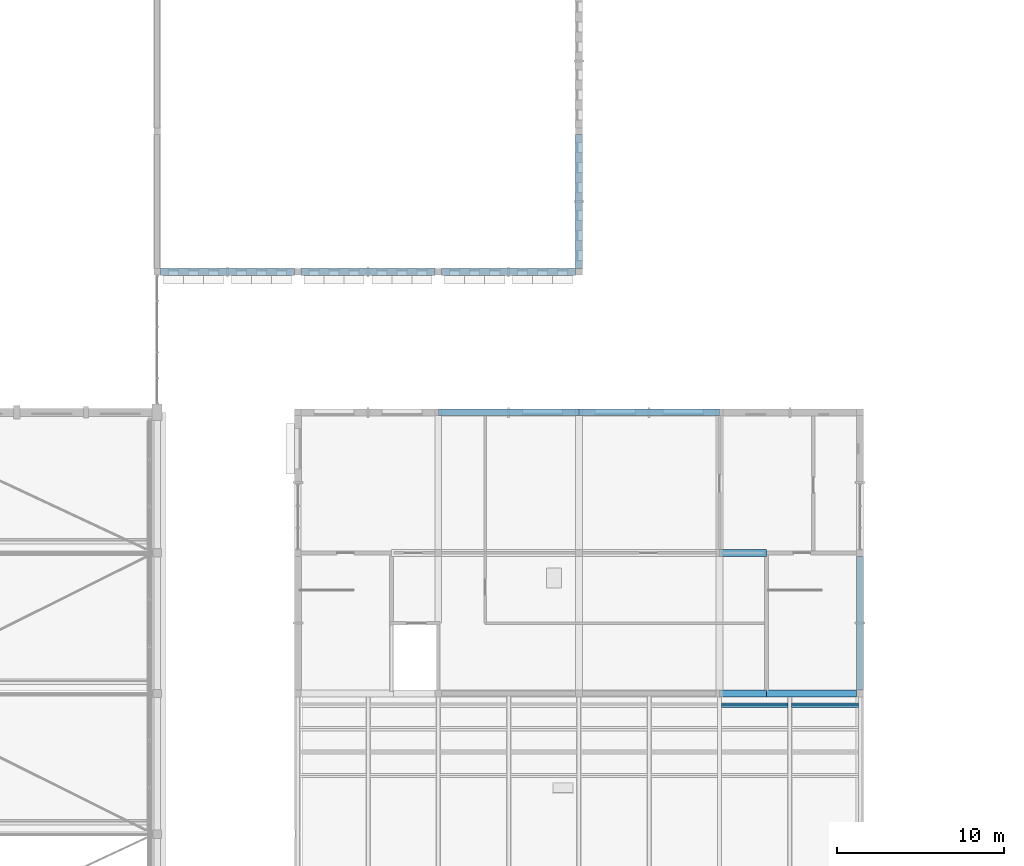
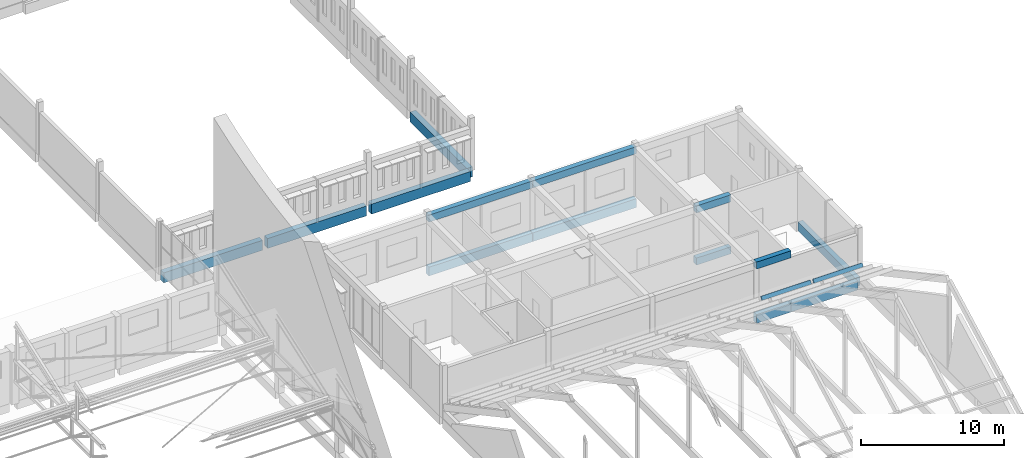
# One storey, part 47 of 101: 14 beams, 2 members.
"""IFC4 building model written with IfcOpenShell, lengths in metres."""

from ifc_helpers import new_model, si_unit, direction, frame, origin, origin_2d, place, context, subcontext, project, spatial, rectangle, extrude, material, material_profile, profile_set, type_object, element, save


model = new_model("IFC4")

# Units and contexts
model_context = context("Model", 3, precision=1e-05, world=origin(), true_north=direction((0.0, 1.0)))
body_context = subcontext(model_context, "Body", "Model", "MODEL_VIEW")
ifc_project = project(units=[si_unit("LENGTHUNIT", "METRE"), si_unit("AREAUNIT", "SQUARE_METRE"), si_unit("VOLUMEUNIT", "CUBIC_METRE"), si_unit("PLANEANGLEUNIT", "RADIAN"), si_unit("MASSUNIT", "GRAM", prefix="KILO")], contexts=[model_context])

# Site, building, storey
site_placement = place(None, origin())
site = spatial("IfcSite", under=ifc_project, at=site_placement, CompositionType="ELEMENT")
building_placement = place(site_placement, origin())
building = spatial("IfcBuilding", under=site, at=building_placement, Name="Fescue Hill Polytechnic", CompositionType="ELEMENT")
storey_placement = place(building_placement, frame((0.0, 0.0, 9.0)))
storey = spatial("IfcBuildingStorey", under=building, at=storey_placement, Name="L02", CompositionType="ELEMENT", Elevation=9.0)

# Beams
ifc_material_1 = material(Name="Concrete 35 MPa", Category="concrete")
ifc_material_profile_1 = material_profile(ifc_material_1, rectangle(XDim=0.39990234375, YDim=0.60009765625, at=origin_2d()), Name="RC 400x600")
ifc_profile_set_1 = profile_set([ifc_material_profile_1], Name="Concrete 35 MPa")
beam_type_1 = type_object("IfcBeamType", Name="Beam RC 400x600", PredefinedType="BEAM", material=ifc_profile_set_1)
beam_1_placement = place(storey_placement, frame((151.2099609375, 42.0, -0.550048828125), z_axis=(1.0, 0.0, 0.0), x_axis=(0.0, 1.0, 0.0)))
element("IfcBeam", 1, at=beam_1_placement, inside=storey, type_object=beam_type_1, Name="BM-L02-0136", PredefinedType="BEAM", context=body_context, shape_type="SweptSolid", body=[
    extrude(rectangle(XDim=0.39990234375, YDim=0.60009765625, at=origin_2d()), origin(), (0.0, 0.0, 1.0), 2.7900390625),
])
beam_2_placement = place(storey_placement, frame((134.409912109375, 50.39990234375, 3.89990234375), z_axis=(1.0, 0.0, 0.0), x_axis=(0.0, 1.0, 0.0)))
element("IfcBeam", 2, at=beam_2_placement, inside=storey, type_object=beam_type_1, Name="BR-L02-0073", PredefinedType="BEAM", context=body_context, shape_type="SweptSolid", body=[
    extrude(rectangle(XDim=0.39990234375, YDim=0.60009765625, at=origin_2d()), origin(), (0.0, 0.0, 1.0), 8.380126953125),
])
beam_3_placement = place(storey_placement, frame((142.81005859375, 50.39990234375, 3.89990234375), z_axis=(1.0, 0.0, 0.0), x_axis=(0.0, 1.0, 0.0)))
element("IfcBeam", 3, at=beam_3_placement, inside=storey, type_object=beam_type_1, Name="BR-L02-0077", PredefinedType="BEAM", context=body_context, shape_type="SweptSolid", body=[
    extrude(rectangle(XDim=0.39990234375, YDim=0.60009765625, at=origin_2d()), origin(), (0.0, 0.0, 1.0), 8.3798828125),
])
beam_4_placement = place(storey_placement, frame((151.2099609375, 42.0, 3.89990234375), z_axis=(1.0, 0.0, 0.0), x_axis=(0.0, 1.0, 0.0)))
element("IfcBeam", 4, at=beam_4_placement, inside=storey, type_object=beam_type_1, Name="BR-L02-0080", PredefinedType="BEAM", context=body_context, shape_type="SweptSolid", body=[
    extrude(rectangle(XDim=0.39990234375, YDim=0.60009765625, at=origin_2d()), origin(), (0.0, 0.0, 1.0), 2.7900390625),
])
beam_5_placement = place(storey_placement, frame((151.199951171875, 33.60009765625, 4.199951171875), z_axis=(1.0, 0.0, 0.0), x_axis=(0.0, 1.0, 0.0)))
element("IfcBeam", 5, at=beam_5_placement, inside=storey, type_object=beam_type_1, Name="BR-L02-0085", PredefinedType="BEAM", context=body_context, shape_type="SweptSolid", body=[
    extrude(rectangle(XDim=0.39990234375, YDim=0.60009765625, at=origin_2d()), origin(), (0.0, 0.0, 1.0), 2.800048828125),
])
ifc_material_profile_2 = material_profile(ifc_material_1, rectangle(XDim=0.39990234375, YDim=0.75, at=origin_2d()), Name="RC 400x750")
ifc_profile_set_2 = profile_set([ifc_material_profile_2], Name="Concrete 35 MPa")
beam_type_2 = type_object("IfcBeamType", Name="Beam RC 400x750", PredefinedType="BEAM", material=ifc_profile_set_2)
beam_6_placement = place(storey_placement, frame((134.409912109375, 50.39990234375, -0.625), z_axis=(1.0, 0.0, 0.0), x_axis=(0.0, 1.0, 0.0)))
element("IfcBeam", 6, at=beam_6_placement, inside=storey, type_object=beam_type_2, Name="BM-L02-0129", PredefinedType="BEAM", context=body_context, shape_type="SweptSolid", body=[
    extrude(rectangle(XDim=0.39990234375, YDim=0.75, at=origin_2d()), origin(), (0.0, 0.0, 1.0), 8.380126953125),
])
beam_7_placement = place(storey_placement, frame((142.81005859375, 50.39990234375, -0.625), z_axis=(1.0, 0.0, 0.0), x_axis=(0.0, 1.0, 0.0)))
element("IfcBeam", 7, at=beam_7_placement, inside=storey, type_object=beam_type_2, Name="BM-L02-0133", PredefinedType="BEAM", context=body_context, shape_type="SweptSolid", body=[
    extrude(rectangle(XDim=0.39990234375, YDim=0.75, at=origin_2d()), origin(), (0.0, 0.0, 1.0), 8.3798828125),
])
beam_8_placement = place(storey_placement, frame((151.199951171875, 33.60009765625, -0.375), z_axis=(1.0, 0.0, 0.0), x_axis=(0.0, 1.0, 0.0)))
element("IfcBeam", 8, at=beam_8_placement, inside=storey, type_object=beam_type_2, Name="BM-L02-0208", PredefinedType="BEAM", context=body_context, shape_type="SweptSolid", body=[
    extrude(rectangle(XDim=0.39990234375, YDim=0.75, at=origin_2d()), origin(), (0.0, 0.0, 1.0), 2.800048828125),
])
beam_9_placement = place(storey_placement, frame((154.0, 33.60009765625, -0.375), z_axis=(1.0, 0.0, 0.0), x_axis=(0.0, 1.0, 0.0)))
element("IfcBeam", 9, at=beam_9_placement, inside=storey, type_object=beam_type_2, Name="BM-L02-0210", PredefinedType="BEAM", context=body_context, shape_type="SweptSolid", body=[
    extrude(rectangle(XDim=0.39990234375, YDim=0.75, at=origin_2d()), origin(), (0.0, 0.0, 1.0), 5.39990234375),
])
beam_10_placement = place(storey_placement, frame((159.60009765625, 33.800048828125, -0.375), z_axis=(0.0, 1.0, 0.0), x_axis=(-1.0, 0.0, 0.0)))
element("IfcBeam", 10, at=beam_10_placement, inside=storey, type_object=beam_type_2, Name="BM-L02-0214", PredefinedType="BEAM", context=body_context, shape_type="SweptSolid", body=[
    extrude(rectangle(XDim=0.39990234375, YDim=0.75, at=origin_2d()), origin(), (0.0, 0.0, 1.0), 8.0),
])
ifc_material_profile_3 = material_profile(ifc_material_1, rectangle(XDim=0.449951171875, YDim=0.85009765625, at=origin_2d()), Name="RC 450x850")
ifc_profile_set_3 = profile_set([ifc_material_profile_3], Name="Concrete 35 MPa")
beam_type_3 = type_object("IfcBeamType", Name="Beam RC 450x850", PredefinedType="BEAM", material=ifc_profile_set_3)
for number, where, z_axis, x_axis, name in (
    (11, (117.800048828125, 58.800048828125, -0.425048828125), (1.0, 0.0, 0.0), (0.0, 1.0, 0.0), "BM-L02-0184"),
    (12, (126.199951171875, 58.800048828125, -0.425048828125), (1.0, 0.0, 0.0), (0.0, 1.0, 0.0), "BM-L02-0194"),
    (13, (134.60009765625, 58.800048828125, -0.425048828125), (1.0, 0.0, 0.0), (0.0, 1.0, 0.0), "BM-L02-0198"),
    (14, (142.800048828125, 59.0, -0.425048828125), (0.0, 1.0, 0.0), (-1.0, 0.0, 0.0), "BM-L02-0202"),
):
    element("IfcBeam", number, at=place(storey_placement, frame(where, z_axis=z_axis, x_axis=x_axis)), inside=storey, type_object=beam_type_3, Name=name, PredefinedType="BEAM", context=body_context, shape_type="SweptSolid", body=[
        extrude(rectangle(XDim=0.449951171875, YDim=0.85009765625, at=origin_2d()), origin(), (0.0, 0.0, 1.0), 8.0),
    ])

# Members
ifc_material_2 = material(Name="Glulam 24f-EX", Category="wood")
ifc_material_profile_4 = material_profile(ifc_material_2, rectangle(XDim=0.1298828125, YDim=0.303955078125, at=origin_2d()), Name="Refectory glulam purlin 130x304")
ifc_profile_set_4 = profile_set([ifc_material_profile_4], Name="Glulam 24f-EX")
member_type = type_object("IfcMemberType", Name="Refectory glulam purlin 130x304", PredefinedType="PURLIN", material=ifc_profile_set_4)
for number, where, z_axis, x_axis, name in (
    (15, (151.3076171875, 32.89990234375, 1.67138671875), (1.0, 0.0, 0.0), (0.0, 0.882934197129, -0.469496755623), "Refectory purlin N1 bay 7"),
    (16, (155.507568359375, 32.89990234375, 1.67138671875), (1.0, 0.0, 0.0), (0.0, 0.882934197129, -0.469496755623), "Refectory purlin N1 bay 8"),
):
    element("IfcMember", number, at=place(storey_placement, frame(where, z_axis=z_axis, x_axis=x_axis)), inside=storey, type_object=member_type, Name=name, PredefinedType="PURLIN", context=body_context, shape_type="SweptSolid", body=[
        extrude(rectangle(XDim=0.1298828125, YDim=0.303955078125, at=origin_2d()), origin(), (0.0, 0.0, 1.0), 3.98486328125),
    ])

save(model, "model.ifc")
